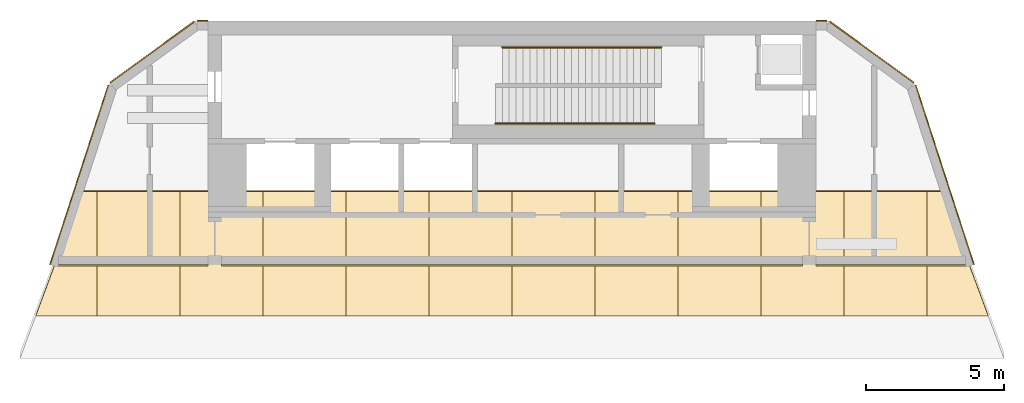
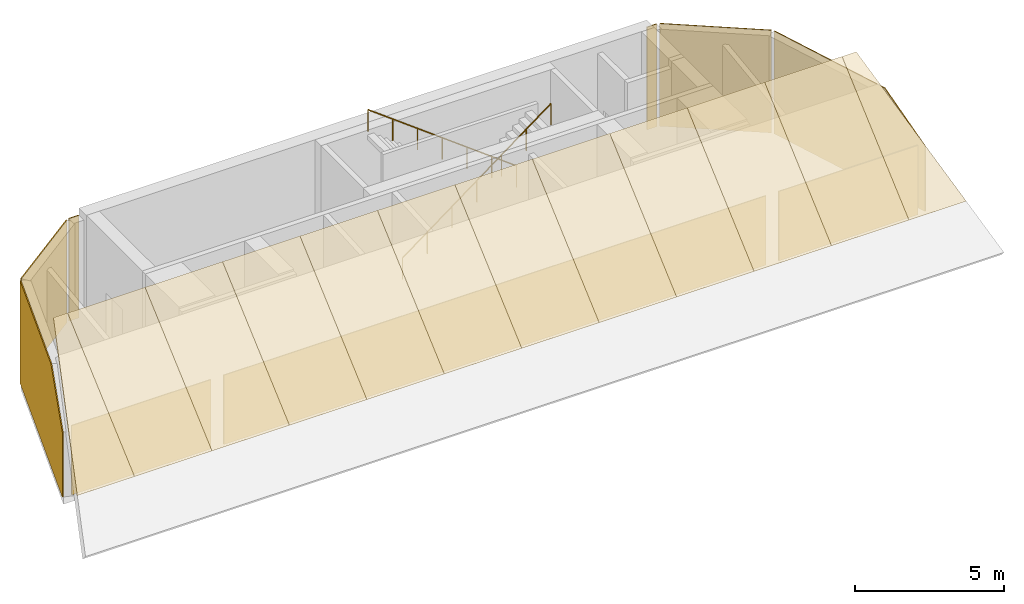
# One storey, part 3 of 4: 21 coverings, 2 railings.
"""IFC4 building model written with IfcOpenShell, lengths in metres."""

from ifc_helpers import new_model, si_unit, direction, frame, origin, origin_2d, place, context, subcontext, project, spatial, polyline, circle, outline, extrude, material, layer, layer_set, type_object, element, save


model = new_model("IFC4")

# Units and contexts
model_context = context("Model", 3, precision=1e-05, world=origin(), true_north=direction((0.0, 1.0)))
body_context = subcontext(model_context, "Body", "Model", "MODEL_VIEW")
ifc_project = project(units=[si_unit("LENGTHUNIT", "METRE"), si_unit("AREAUNIT", "SQUARE_METRE"), si_unit("VOLUMEUNIT", "CUBIC_METRE"), si_unit("PLANEANGLEUNIT", "RADIAN"), si_unit("MASSUNIT", "GRAM", prefix="KILO")], contexts=[model_context])

# Site, building, storey
site_placement = place(None, origin())
site = spatial("IfcSite", under=ifc_project, at=site_placement, CompositionType="ELEMENT")
building_placement = place(site_placement, origin())
building = spatial("IfcBuilding", under=site, at=building_placement, Name="White Candle Pilgrim Tower", CompositionType="ELEMENT")
storey_placement = place(building_placement, frame((0.0, 0.0, 351.199951171875)))
storey = spatial("IfcBuildingStorey", under=building, at=storey_placement, Name="L82", CompositionType="ELEMENT", Elevation=351.199951171875)

# Coverings
ifc_material_1 = material(Name="Zinc standing seam")
ifc_layer_1 = layer(ifc_material_1, 0.050048828125)
ifc_layer_set_1 = layer_set([ifc_layer_1], Name="Roof covering CL2 zinc standing seam 50")
covering_type_1 = type_object("IfcCoveringType", Name="Roof covering CL2 zinc standing seam 50", PredefinedType="ROOFING", material=ifc_layer_set_1)
covering_1_placement = place(storey_placement, frame((55.0, 81.83642578125, 5.342529296875), z_axis=(-3.678483e-05, -0.662907696513, 0.748701131661), x_axis=(-3.76e-10, -0.748701132168, -0.662907696961)))
element("IfcCovering", 1, at=covering_1_placement, inside=storey, type_object=covering_type_1, Name="Roof covering 61", PredefinedType="ROOFING", context=body_context, shape_type="SweptSolid", body=[
    extrude(outline(polyline([(0.0, 0.0), (5.999702495594082, 0.0), (5.999702496428834, -2.2180175766243737), (5.923428580845089, -2.1967773435431583), (5.255657200582136, -2.010986330448835), (4.58772397761973, -1.825195310630734), (3.919952597356776, -1.6394042975364105), (3.252181217093914, -1.453857425066922), (2.5842479941315073, -1.2680664052488209), (1.9164766138685536, -1.0822753921544974), (1.2487052336056004, -0.8964843790601743), (0.5807720106431933, -0.7106933592420732), (2.067354120515586e-10, -0.5493164058783534), (0.0, 0.0)])), origin(), (0.0, 0.0, -1.0), 0.050048828125),
])
for number, where, z_axis, x_axis, name in (
    (2, (55.0, 77.344482421875, 1.365234375), (0.0, -0.662915356984, 0.748694349835), (0.0, 0.748694349835, 0.662915356984), "Roof covering 62"),
    (3, (58.0, 77.344482421875, 1.365234375), (0.0, -0.662915356984, 0.748694349835), (0.0, 0.748694349835, 0.662915356984), "Roof covering 63"),
    (4, (61.0, 77.344482421875, 1.365234375), (0.0, -0.662915356984, 0.748694349835), (0.0, 0.748694349835, 0.662915356984), "Roof covering 64"),
    (5, (64.0, 77.344482421875, 1.365234375), (0.0, -0.662915356984, 0.748694349835), (0.0, 0.748694349835, 0.662915356984), "Roof covering 65"),
    (6, (67.0, 77.344482421875, 1.365234375), (0.0, -0.662915356984, 0.748694349835), (0.0, 0.748694349835, 0.662915356984), "Roof covering 66"),
    (7, (70.0, 77.344482421875, 1.365234375), (0.0, -0.662915356984, 0.748694349835), (0.0, 0.748694349835, 0.662915356984), "Roof covering 67"),
    (8, (73.0, 77.344482421875, 1.365234375), (0.0, -0.662915356984, 0.748694349835), (0.0, 0.748694349835, 0.662915356984), "Roof covering 68"),
    (9, (76.0, 77.344482421875, 1.365234375), (0.0, -0.662915356984, 0.748694349835), (0.0, 0.748694349835, 0.662915356984), "Roof covering 69"),
    (10, (79.0, 77.344482421875, 1.365234375), (0.0, -0.662915356984, 0.748694349835), (0.0, 0.748694349835, 0.662915356984), "Roof covering 70"),
    (11, (82.0, 77.344482421875, 1.365234375), (0.0, -0.662915356984, 0.748694349835), (0.0, 0.748694349835, 0.662915356984), "Roof covering 71"),
):
    element("IfcCovering", number, at=place(storey_placement, frame(where, z_axis=z_axis, x_axis=x_axis)), inside=storey, type_object=covering_type_1, Name=name, PredefinedType="ROOFING", context=body_context, shape_type="SweptSolid", body=[
        extrude(outline(polyline([(0.0, 0.0), (5.999702495908094, 0.0), (5.999702495908094, -3.0), (0.0, -3.0), (0.0, 0.0)])), origin(), (0.0, 0.0, -1.0), 0.050048828125),
    ])
covering_2_placement = place(storey_placement, frame((85.0, 77.344482421875, 1.365234375), z_axis=(3.678483e-05, -0.662907696513, 0.748701131661), x_axis=(-3.76e-10, 0.748701132168, 0.662907696961)))
element("IfcCovering", 12, at=covering_2_placement, inside=storey, type_object=covering_type_1, Name="Roof covering 72", PredefinedType="ROOFING", context=body_context, shape_type="SweptSolid", body=[
    extrude(outline(polyline([(0.0, 0.0), (5.999702495594082, 0.0), (5.999702495387346, -0.5493164058783534), (5.418930484950889, -0.7106933592420731), (4.7509972619884815, -0.8964843790601744), (4.083225881725529, -1.0822753921544976), (3.415454501462575, -1.2680664052488209), (2.7475212785001677, -1.453857425066922), (2.079749898237306, -1.6394042975364105), (1.4119785179743527, -1.825195310630734), (0.7440452950119458, -2.0109863304488353), (0.07627391474899237, -2.1967773435431583), (-8.347516526615155e-10, -2.2180175766243737), (0.0, 0.0)])), origin(), (0.0, 0.0, -1.0), 0.050048828125),
])

# Railings
ifc_material_2 = material(Name="Stainless steel", Category="steel")
railing_type = type_object("IfcRailingType", Name="Stair handrail stainless steel", PredefinedType="HANDRAIL", material=ifc_material_2)
railing_1_placement = place(storey_placement, frame((69.39990234375, 84.300048828125, 0.1875)))
element("IfcRailing", 13, at=railing_1_placement, inside=storey, type_object=railing_type, Name="L82 ST12 stair handrail 1", PredefinedType="HANDRAIL", context=body_context, shape_type="SweptSolid", body=[
    extrude(circle(Radius=0.02392578125, at=origin_2d()), frame((0.0, 0.0, 0.8759765625), z_axis=(0.8, 0.0, 0.6), x_axis=(0.0, 1.0, 0.0)), (0.0, 0.0, 1.0), 7.1875),
    extrude(circle(Radius=0.02099609375, at=origin_2d()), origin(), (0.0, 0.0, 1.0), 0.851806640625),
    extrude(circle(Radius=0.02099609375, at=origin_2d()), frame((0.958251953125, 0.0, 0.71875)), (0.0, 0.0, 1.0), 0.851806640625),
    extrude(circle(Radius=0.02099609375, at=origin_2d()), frame((1.916748046875, 0.0, 1.4375)), (0.0, 0.0, 1.0), 0.851806640625),
    extrude(circle(Radius=0.02099609375, at=origin_2d()), frame((2.875, 0.0, 2.15625)), (0.0, 0.0, 1.0), 0.851806640625),
    extrude(circle(Radius=0.02099609375, at=origin_2d()), frame((3.833251953125, 0.0, 2.875)), (0.0, 0.0, 1.0), 0.851806640625),
    extrude(circle(Radius=0.02099609375, at=origin_2d()), frame((4.791748046875, 0.0, 3.59375)), (0.0, 0.0, 1.0), 0.851806640625),
    extrude(circle(Radius=0.02099609375, at=origin_2d()), frame((5.75, 0.0, 4.3125)), (0.0, 0.0, 1.0), 0.851806640625),
])
railing_2_placement = place(storey_placement, frame((75.39990234375, 87.050048828125, 0.1875)))
element("IfcRailing", 14, at=railing_2_placement, inside=storey, type_object=railing_type, Name="L82 ST12 stair handrail 1", PredefinedType="HANDRAIL", context=body_context, shape_type="SweptSolid", body=[
    extrude(circle(Radius=0.02392578125, at=origin_2d()), frame((0.0, 0.0, 0.8759765625), z_axis=(-0.8, 0.0, 0.6), x_axis=(0.0, -1.0, 0.0)), (0.0, 0.0, 1.0), 7.1875),
    extrude(circle(Radius=0.02099609375, at=origin_2d()), origin(), (0.0, 0.0, 1.0), 0.851806640625),
    extrude(circle(Radius=0.02099609375, at=origin_2d()), frame((-0.958251953125, 0.0, 0.71875)), (0.0, 0.0, 1.0), 0.851806640625),
    extrude(circle(Radius=0.02099609375, at=origin_2d()), frame((-1.916748046875, 0.0, 1.4375)), (0.0, 0.0, 1.0), 0.851806640625),
    extrude(circle(Radius=0.02099609375, at=origin_2d()), frame((-2.875, 0.0, 2.15625)), (0.0, 0.0, 1.0), 0.851806640625),
    extrude(circle(Radius=0.02099609375, at=origin_2d()), frame((-3.833251953125, 0.0, 2.875)), (0.0, 0.0, 1.0), 0.851806640625),
    extrude(circle(Radius=0.02099609375, at=origin_2d()), frame((-4.791748046875, 0.0, 3.59375)), (0.0, 0.0, 1.0), 0.851806640625),
    extrude(circle(Radius=0.02099609375, at=origin_2d()), frame((-5.75, 0.0, 4.3125)), (0.0, 0.0, 1.0), 0.851806640625),
])

# Coverings
ifc_layer_2 = layer(ifc_material_1, 0.0400390625)
ifc_layer_set_2 = layer_set([ifc_layer_2], Name="Zinc wall cladding CL3 40")
covering_type_2 = type_object("IfcCoveringType", Name="Zinc wall cladding CL3 40", PredefinedType="CLADDING", material=ifc_layer_set_2)
covering_3_placement = place(storey_placement, frame((86.689697265625, 79.19091796875, 2.65625), z_axis=(-0.951057571467, -0.30901374681, 6.208224e-06), x_axis=(-0.236362332527, 0.727469852929, 0.644143199018)))
element("IfcCovering", 15, at=covering_3_placement, inside=storey, type_object=covering_type_2, Name="Zinc wall cladding L82 ENE", PredefinedType="CLADDING", context=body_context, shape_type="SweptSolid", body=[
    extrude(outline(polyline([(0.0, 0.0), (2.3965186227106785, 2.220446049250313e-16), (6.210910323374097, 3.2121828519945286), (3.5055403398028138, 6.424746173930118), (-1.7110053723917669, 2.0317786980561072), (0.0, 0.0)])), origin(), (0.0, 0.0, -1.0), 0.0400390625),
])
covering_4_placement = place(storey_placement, frame((84.524169921875, 85.757080078125, 4.199951171875), z_axis=(-0.58777824963, -0.809022082061, 0.0), x_axis=(-0.809022082061, 0.58777824963, 0.0)))
element("IfcCovering", 16, at=covering_4_placement, inside=storey, type_object=covering_type_2, Name="Zinc wall cladding L82 NE chamfer", PredefinedType="CLADDING", context=body_context, shape_type="SweptSolid", body=[
    extrude(outline(polyline([(0.0, 0.0), (3.7640085272682278, 0.0), (3.7640085272682278, 4.199951171875), (0.0, 4.199951171875), (0.0, 0.0)])), origin(), (0.0, 0.0, -1.0), 0.0400390625),
])
for number, where, z_axis, x_axis, name in (
    (17, (81.385009765625, 88.0, 4.199951171875), (0.0, -1.0, 0.0), (-1.0, 0.0, 0.0), "Zinc wall cladding L82 N"),
    (18, (59.0, 88.0, 4.199951171875), (0.0, -1.0, 0.0), (-1.0, 0.0, 0.0), "Zinc wall cladding L82 N"),
):
    element("IfcCovering", number, at=place(storey_placement, frame(where, z_axis=z_axis, x_axis=x_axis)), inside=storey, type_object=covering_type_2, Name=name, PredefinedType="CLADDING", context=body_context, shape_type="SweptSolid", body=[
        extrude(outline(polyline([(0.0, 0.0), (0.385009765625, 0.0), (0.385009765625, 4.199951171875), (0.0, 4.199951171875), (0.0, 0.0)])), origin(), (0.0, 0.0, -1.0), 0.0400390625),
    ])
covering_5_placement = place(storey_placement, frame((58.52099609375, 87.969482421875, 4.199951171875), z_axis=(0.58777824963, -0.809022082061, 0.0), x_axis=(-0.809022082061, -0.58777824963, 0.0)))
element("IfcCovering", 19, at=covering_5_placement, inside=storey, type_object=covering_type_2, Name="Zinc wall cladding L82 NW chamfer", PredefinedType="CLADDING", context=body_context, shape_type="SweptSolid", body=[
    extrude(outline(polyline([(0.0, 0.0), (3.7640085272682278, 0.0), (3.7640085272682278, 4.199951171875), (0.0, 4.199951171875), (0.0, 0.0)])), origin(), (0.0, 0.0, -1.0), 0.0400390625),
])
covering_6_placement = place(storey_placement, frame((55.417724609375, 85.677001953125, 4.199951171875), z_axis=(0.951057571467, -0.30901374681, 6.208224e-06), x_axis=(-0.309013746816, -0.951057571485, 5.3e-11)))
element("IfcCovering", 20, at=covering_6_placement, inside=storey, type_object=covering_type_2, Name="Zinc wall cladding L82 WNW", PredefinedType="CLADDING", context=body_context, shape_type="SweptSolid", body=[
    extrude(outline(polyline([(0.0, 0.0), (4.986752723039079, 5.082197683525802e-21), (6.819861612260675, 1.5437011722661387), (6.819861612119919, 4.19995117221495), (-2.2255879937881025e-10, 4.199951171794063), (0.0, 0.0)])), origin(), (0.0, 0.0, -1.0), 0.0400390625),
])
covering_7_placement = place(storey_placement, frame((53.60400390625, 79.19091796875, 2.841796875), z_axis=(0.0, 1.0, 0.0), x_axis=(1.0, 0.0, 0.0)))
element("IfcCovering", 21, at=covering_7_placement, inside=storey, type_object=covering_type_2, Name="Zinc wall cladding L82 S", PredefinedType="CLADDING", context=body_context, shape_type="SweptSolid", body=[
    extrude(outline(polyline([(0.0, 0.0), (5.39599609375, 0.0), (5.39599609375, 2.841796875), (0.0, 2.841796875), (0.0, 0.0)])), origin(), (0.0, 0.0, -1.0), 0.0400390625),
])
covering_8_placement = place(storey_placement, frame((59.5, 79.19091796875, 2.841796875), z_axis=(0.0, 1.0, 0.0), x_axis=(1.0, 0.0, 0.0)))
element("IfcCovering", 22, at=covering_8_placement, inside=storey, type_object=covering_type_2, Name="Zinc wall cladding L82 S", PredefinedType="CLADDING", context=body_context, shape_type="SweptSolid", body=[
    extrude(outline(polyline([(0.0, 0.0), (21.0, 0.0), (21.0, 2.841796875), (0.0, 2.841796875), (0.0, 0.0)])), origin(), (0.0, 0.0, -1.0), 0.0400390625),
])
covering_9_placement = place(storey_placement, frame((81.0, 79.19091796875, 2.841796875), z_axis=(0.0, 1.0, 0.0), x_axis=(1.0, 0.0, 0.0)))
element("IfcCovering", 23, at=covering_9_placement, inside=storey, type_object=covering_type_2, Name="Zinc wall cladding L82 S", PredefinedType="CLADDING", context=body_context, shape_type="SweptSolid", body=[
    extrude(outline(polyline([(0.0, 0.0), (5.39599609375, 0.0), (5.39599609375, 2.841796875), (0.0, 2.841796875), (0.0, 0.0)])), origin(), (0.0, 0.0, -1.0), 0.0400390625),
])

save(model, "model.ifc")
